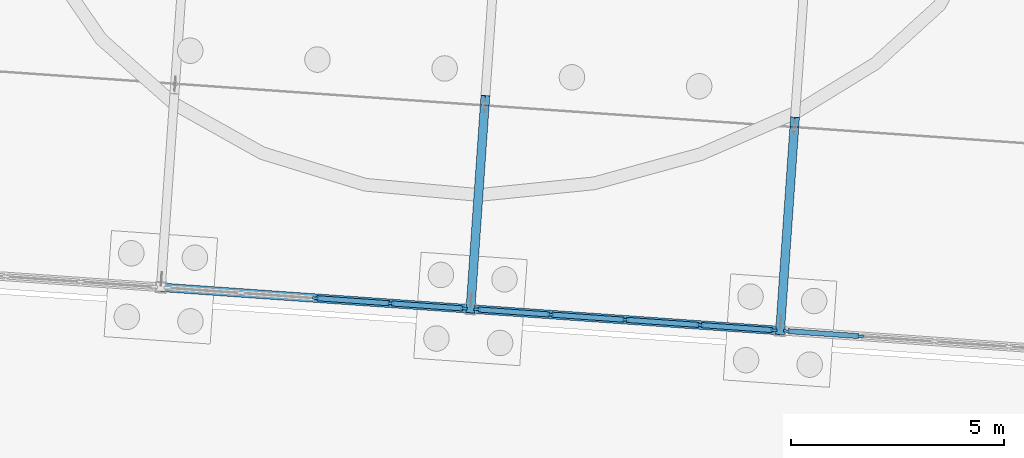
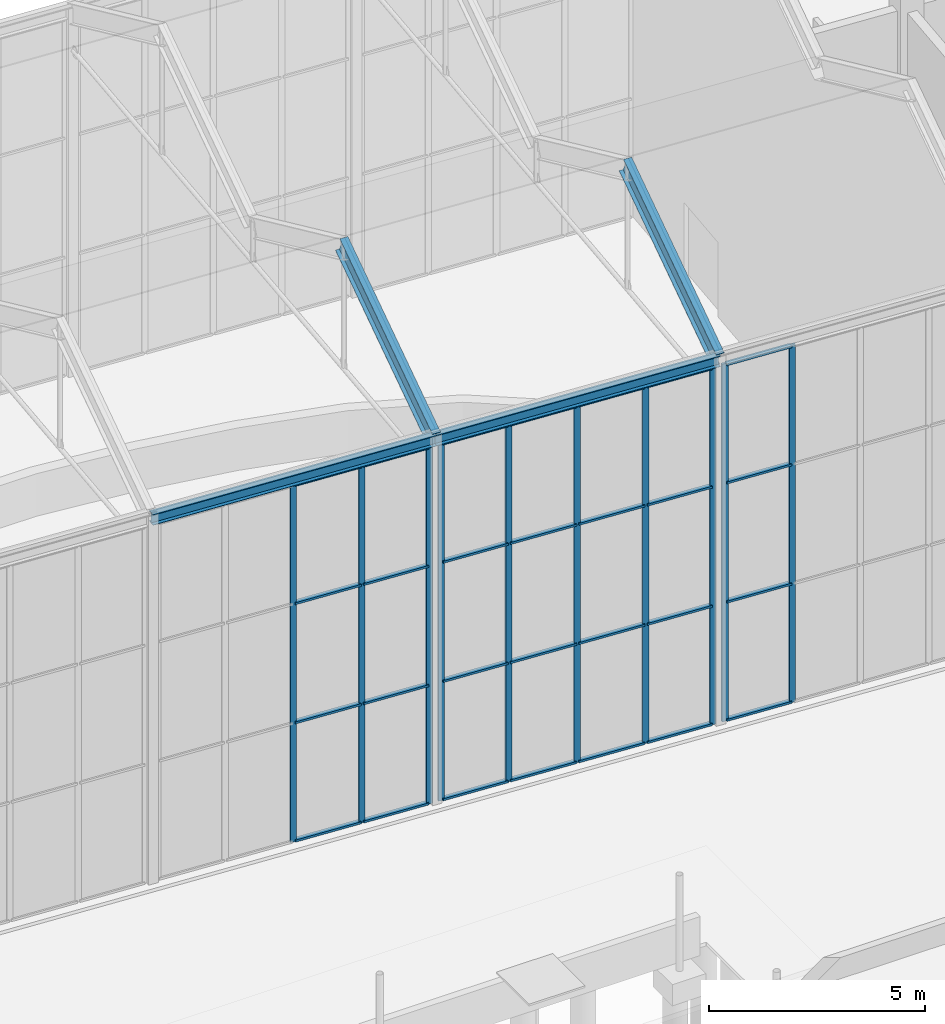
# One storey, part 42 of 157: 40 members, 2 beams, 3 elements without a shape of their own.
"""IFC4 building model written with IfcOpenShell, lengths in metres."""

from ifc_helpers import new_model, si_unit, direction, frame, origin, origin_2d, place, context, subcontext, project, spatial, rectangle, i_section, extrude, material, material_profile, profile_set, type_object, element, aggregate, save


model = new_model("IFC4")

# Units and contexts
model_context = context("Model", 3, precision=1e-05, world=origin(), true_north=direction((0.0, 1.0)))
body_context = subcontext(model_context, "Body", "Model", "MODEL_VIEW")
ifc_project = project(units=[si_unit("LENGTHUNIT", "METRE"), si_unit("AREAUNIT", "SQUARE_METRE"), si_unit("VOLUMEUNIT", "CUBIC_METRE"), si_unit("PLANEANGLEUNIT", "RADIAN"), si_unit("MASSUNIT", "GRAM", prefix="KILO")], contexts=[model_context])

# Site, building, storey
site_placement = place(None, origin())
site = spatial("IfcSite", under=ifc_project, at=site_placement, CompositionType="ELEMENT")
building_placement = place(site_placement, origin())
building = spatial("IfcBuilding", under=site, at=building_placement, Name="Windward Yard Aquatics Centre", CompositionType="ELEMENT")
storey_placement = place(building_placement, origin())
storey = spatial("IfcBuildingStorey", under=building, at=storey_placement, Name="L00", CompositionType="ELEMENT", Elevation=0.0)

# Curtain wall, members
ifc_material_1 = material(Name="Aluminium curtain wall system", Category="aluminium")
curtain_wall_type = type_object("IfcCurtainWallType", Name="W curtain wall 1900", PredefinedType="NOTDEFINED", material=ifc_material_1)
curtain_wall_1_placement = place(storey_placement, origin())
curtain_wall_1 = element("IfcCurtainWall", 1, at=curtain_wall_1_placement, inside=storey, type_object=curtain_wall_type, Name="Wing south glazing L00 5", PredefinedType="NOTDEFINED")
ifc_material_2 = material(Name="Aluminium mullion", Category="aluminium")
ifc_material_profile_1 = material_profile(ifc_material_2, rectangle(XDim=0.06005859375, YDim=0.159912109375, at=origin_2d()), Name="AL 60x160")
ifc_profile_set_1 = profile_set([ifc_material_profile_1], Name="Aluminium mullion")
member_type_1 = type_object("IfcMemberType", Name="W CW mullion 60x160", PredefinedType="MULLION", material=ifc_profile_set_1)
member_1_placement = place(storey_placement, frame((82.7744140625, 118.619384765625, 0.0), z_axis=(0.0, 0.0, 1.0), x_axis=(0.069756251182, 0.997564065823, 0.0)))
member_1 = element("IfcMember", 2, at=member_1_placement, type_object=member_type_1, Name="WCW1 mullion 3", PredefinedType="MULLION", context=body_context, shape_type="SweptSolid", body=[
    extrude(rectangle(XDim=0.06005859375, YDim=0.159912109375, at=origin_2d()), origin(), (0.0, 0.0, 1.0), 10.097900390625),
])
member_2_placement = place(storey_placement, frame((84.53173828125, 118.49658203125, 0.0), z_axis=(0.0, 0.0, 1.0), x_axis=(0.069756251182, 0.997564065823, 0.0)))
member_2 = element("IfcMember", 3, at=member_2_placement, type_object=member_type_1, Name="WCW1 mullion 4", PredefinedType="MULLION", context=body_context, shape_type="SweptSolid", body=[
    extrude(rectangle(XDim=0.06005859375, YDim=0.159912109375, at=origin_2d()), origin(), (0.0, 0.0, 1.0), 10.097900390625),
])
member_3_placement = place(storey_placement, frame((86.259033203125, 118.375732421875, 0.0), z_axis=(0.0, 0.0, 1.0), x_axis=(0.069756251182, 0.997564065823, 0.0)))
member_3 = element("IfcMember", 4, at=member_3_placement, type_object=member_type_1, Name="WCW1 mullion 5", PredefinedType="MULLION", context=body_context, shape_type="SweptSolid", body=[
    extrude(rectangle(XDim=0.06005859375, YDim=0.159912109375, at=origin_2d()), origin(), (0.0, 0.0, 1.0), 10.097900390625),
])

curtain_wall_2_placement = place(storey_placement, origin())
curtain_wall_2 = element("IfcCurtainWall", 5, at=curtain_wall_2_placement, inside=storey, type_object=curtain_wall_type, Name="Wing south glazing L00 6", PredefinedType="NOTDEFINED")
member_4_placement = place(storey_placement, frame((86.572265625, 118.35400390625, 0.0), z_axis=(0.0, 0.0, 1.0), x_axis=(0.069756251182, 0.997564065823, 0.0)))
member_4 = element("IfcMember", 6, at=member_4_placement, type_object=member_type_1, Name="WCW1 mullion 1", PredefinedType="MULLION", context=body_context, shape_type="SweptSolid", body=[
    extrude(rectangle(XDim=0.06005859375, YDim=0.159912109375, at=origin_2d()), origin(), (0.0, 0.0, 1.0), 10.097900390625),
])
member_5_placement = place(storey_placement, frame((88.299560546875, 118.233154296875, 0.0), z_axis=(0.0, 0.0, 1.0), x_axis=(0.069756251182, 0.997564065823, 0.0)))
member_5 = element("IfcMember", 7, at=member_5_placement, type_object=member_type_1, Name="WCW1 mullion 2", PredefinedType="MULLION", context=body_context, shape_type="SweptSolid", body=[
    extrude(rectangle(XDim=0.06005859375, YDim=0.159912109375, at=origin_2d()), origin(), (0.0, 0.0, 1.0), 10.097900390625),
])
member_6_placement = place(storey_placement, frame((90.056640625, 118.1103515625, 0.0), z_axis=(0.0, 0.0, 1.0), x_axis=(0.069756251182, 0.997564065823, 0.0)))
member_6 = element("IfcMember", 8, at=member_6_placement, type_object=member_type_1, Name="WCW1 mullion 3", PredefinedType="MULLION", context=body_context, shape_type="SweptSolid", body=[
    extrude(rectangle(XDim=0.06005859375, YDim=0.159912109375, at=origin_2d()), origin(), (0.0, 0.0, 1.0), 10.097900390625),
])
member_7_placement = place(storey_placement, frame((91.81396484375, 117.9873046875, 0.0), z_axis=(0.0, 0.0, 1.0), x_axis=(0.069756251182, 0.997564065823, 0.0)))
member_7 = element("IfcMember", 9, at=member_7_placement, type_object=member_type_1, Name="WCW1 mullion 4", PredefinedType="MULLION", context=body_context, shape_type="SweptSolid", body=[
    extrude(rectangle(XDim=0.06005859375, YDim=0.159912109375, at=origin_2d()), origin(), (0.0, 0.0, 1.0), 10.097900390625),
])
member_8_placement = place(storey_placement, frame((93.541259765625, 117.86669921875, 0.0), z_axis=(0.0, 0.0, 1.0), x_axis=(0.069756251182, 0.997564065823, 0.0)))
member_8 = element("IfcMember", 10, at=member_8_placement, type_object=member_type_1, Name="WCW1 mullion 5", PredefinedType="MULLION", context=body_context, shape_type="SweptSolid", body=[
    extrude(rectangle(XDim=0.06005859375, YDim=0.159912109375, at=origin_2d()), origin(), (0.0, 0.0, 1.0), 10.097900390625),
])

curtain_wall_3_placement = place(storey_placement, origin())
curtain_wall_3 = element("IfcCurtainWall", 11, at=curtain_wall_3_placement, inside=storey, type_object=curtain_wall_type, Name="Wing south glazing L00 7", PredefinedType="NOTDEFINED")
member_9_placement = place(storey_placement, frame((93.8544921875, 117.8447265625, 0.0), z_axis=(0.0, 0.0, 1.0), x_axis=(0.069756438069, 0.997564052754, 0.0)))
member_9 = element("IfcMember", 12, at=member_9_placement, type_object=member_type_1, Name="WCW1 mullion 1", PredefinedType="MULLION", context=body_context, shape_type="SweptSolid", body=[
    extrude(rectangle(XDim=0.06005859375, YDim=0.159912109375, at=origin_2d()), origin(), (0.0, 0.0, 1.0), 10.097900390625),
])
member_10_placement = place(storey_placement, frame((95.575927734375, 117.724365234375, 0.0), z_axis=(0.0, 0.0, 1.0), x_axis=(0.069756438069, 0.997564052754, 0.0)))
member_10 = element("IfcMember", 13, at=member_10_placement, type_object=member_type_1, Name="WCW1 mullion 2", PredefinedType="MULLION", context=body_context, shape_type="SweptSolid", body=[
    extrude(rectangle(XDim=0.06005859375, YDim=0.159912109375, at=origin_2d()), origin(), (0.0, 0.0, 1.0), 10.097900390625),
])

# Member
ifc_material_3 = material(Name="Aluminium transom", Category="aluminium")
ifc_material_profile_2 = material_profile(ifc_material_3, rectangle(XDim=0.1201171875, YDim=0.06005859375, at=origin_2d()), Name="AL 120x60")
ifc_profile_set_2 = profile_set([ifc_material_profile_2], Name="Aluminium transom")
member_type_2 = type_object("IfcMemberType", Name="W CW transom 120x60", PredefinedType="USERDEFINED", material=ifc_profile_set_2)
member_11_placement = place(storey_placement, frame((82.804443359375, 118.617431640625, 0.030029296875), z_axis=(0.997565360109, -0.069737739501, 0.0), x_axis=(0.069737739501, 0.997565360109, 0.0)))
member_11 = element("IfcMember", 14, at=member_11_placement, type_object=member_type_2, Name="WCW1 transom 3.1", ObjectType="TRANSOM", PredefinedType="USERDEFINED", context=body_context, shape_type="SweptSolid", body=[
    extrude(rectangle(XDim=0.1201171875, YDim=0.06005859375, at=origin_2d()), origin(), (0.0, 0.0, 1.0), 1.701416015625),
])

member_12_placement = place(storey_placement, frame((82.804443359375, 118.617431640625, 3.365966796875), z_axis=(0.997565360109, -0.069737739501, 0.0), x_axis=(0.069737739501, 0.997565360109, 0.0)))
member_12 = element("IfcMember", 15, at=member_12_placement, type_object=member_type_2, Name="WCW1 transom 3.2", ObjectType="TRANSOM", PredefinedType="USERDEFINED", context=body_context, shape_type="SweptSolid", body=[
    extrude(rectangle(XDim=0.1201171875, YDim=0.06005859375, at=origin_2d()), origin(), (0.0, 0.0, 1.0), 1.701416015625),
])

member_13_placement = place(storey_placement, frame((82.804443359375, 118.617431640625, 6.73193359375), z_axis=(0.997565360109, -0.069737739501, 0.0), x_axis=(0.069737739501, 0.997565360109, 0.0)))
member_13 = element("IfcMember", 16, at=member_13_placement, type_object=member_type_2, Name="WCW1 transom 3.3", ObjectType="TRANSOM", PredefinedType="USERDEFINED", context=body_context, shape_type="SweptSolid", body=[
    extrude(rectangle(XDim=0.1201171875, YDim=0.06005859375, at=origin_2d()), origin(), (0.0, 0.0, 1.0), 1.701416015625),
])

member_14_placement = place(storey_placement, frame((82.804443359375, 118.617431640625, 10.068115234375), z_axis=(0.997565360109, -0.069737739501, 0.0), x_axis=(0.069737739501, 0.997565360109, 0.0)))
member_14 = element("IfcMember", 17, at=member_14_placement, type_object=member_type_2, Name="WCW1 transom 3.4", ObjectType="TRANSOM", PredefinedType="USERDEFINED", context=body_context, shape_type="SweptSolid", body=[
    extrude(rectangle(XDim=0.1201171875, YDim=0.06005859375, at=origin_2d()), origin(), (0.0, 0.0, 1.0), 1.701416015625),
])

member_15_placement = place(storey_placement, frame((84.5615234375, 118.494384765625, 0.030029296875), z_axis=(0.997570145889, -0.069669247378, 0.0), x_axis=(0.069669247378, 0.997570145889, 0.0)))
member_15 = element("IfcMember", 18, at=member_15_placement, type_object=member_type_2, Name="WCW1 transom 4.1", ObjectType="TRANSOM", PredefinedType="USERDEFINED", context=body_context, shape_type="SweptSolid", body=[
    extrude(rectangle(XDim=0.1201171875, YDim=0.06005859375, at=origin_2d()), origin(), (0.0, 0.0, 1.0), 1.671630859375),
])

member_16_placement = place(storey_placement, frame((84.5615234375, 118.494384765625, 3.365966796875), z_axis=(0.997570145889, -0.069669247378, 0.0), x_axis=(0.069669247378, 0.997570145889, 0.0)))
member_16 = element("IfcMember", 19, at=member_16_placement, type_object=member_type_2, Name="WCW1 transom 4.2", ObjectType="TRANSOM", PredefinedType="USERDEFINED", context=body_context, shape_type="SweptSolid", body=[
    extrude(rectangle(XDim=0.1201171875, YDim=0.06005859375, at=origin_2d()), origin(), (0.0, 0.0, 1.0), 1.671630859375),
])

member_17_placement = place(storey_placement, frame((84.5615234375, 118.494384765625, 6.73193359375), z_axis=(0.997570145889, -0.069669247378, 0.0), x_axis=(0.069669247378, 0.997570145889, 0.0)))
member_17 = element("IfcMember", 20, at=member_17_placement, type_object=member_type_2, Name="WCW1 transom 4.3", ObjectType="TRANSOM", PredefinedType="USERDEFINED", context=body_context, shape_type="SweptSolid", body=[
    extrude(rectangle(XDim=0.1201171875, YDim=0.06005859375, at=origin_2d()), origin(), (0.0, 0.0, 1.0), 1.671630859375),
])

member_18_placement = place(storey_placement, frame((84.5615234375, 118.494384765625, 10.068115234375), z_axis=(0.997570145889, -0.069669247378, 0.0), x_axis=(0.069669247378, 0.997570145889, 0.0)))
member_18 = element("IfcMember", 21, at=member_18_placement, type_object=member_type_2, Name="WCW1 transom 4.4", ObjectType="TRANSOM", PredefinedType="USERDEFINED", context=body_context, shape_type="SweptSolid", body=[
    extrude(rectangle(XDim=0.1201171875, YDim=0.06005859375, at=origin_2d()), origin(), (0.0, 0.0, 1.0), 1.671630859375),
])

aggregate(curtain_wall_1, [member_1, member_2, member_3, member_11, member_12, member_13, member_14, member_15, member_16, member_17, member_18])

member_19_placement = place(storey_placement, frame((86.60205078125, 118.351806640625, 0.030029296875), z_axis=(0.99755998444, -0.069814593347, 0.0), x_axis=(0.069814593347, 0.99755998444, 0.0)))
member_19 = element("IfcMember", 22, at=member_19_placement, type_object=member_type_2, Name="WCW1 transom 1.1", ObjectType="TRANSOM", PredefinedType="USERDEFINED", context=body_context, shape_type="SweptSolid", body=[
    extrude(rectangle(XDim=0.1201171875, YDim=0.06005859375, at=origin_2d()), origin(), (0.0, 0.0, 1.0), 1.671630859375),
])

member_20_placement = place(storey_placement, frame((86.60205078125, 118.351806640625, 3.365966796875), z_axis=(0.99755998444, -0.069814593347, 0.0), x_axis=(0.069814593347, 0.99755998444, 0.0)))
member_20 = element("IfcMember", 23, at=member_20_placement, type_object=member_type_2, Name="WCW1 transom 1.2", ObjectType="TRANSOM", PredefinedType="USERDEFINED", context=body_context, shape_type="SweptSolid", body=[
    extrude(rectangle(XDim=0.1201171875, YDim=0.06005859375, at=origin_2d()), origin(), (0.0, 0.0, 1.0), 1.671630859375),
])

member_21_placement = place(storey_placement, frame((86.60205078125, 118.351806640625, 6.73193359375), z_axis=(0.99755998444, -0.069814593347, 0.0), x_axis=(0.069814593347, 0.99755998444, 0.0)))
member_21 = element("IfcMember", 24, at=member_21_placement, type_object=member_type_2, Name="WCW1 transom 1.3", ObjectType="TRANSOM", PredefinedType="USERDEFINED", context=body_context, shape_type="SweptSolid", body=[
    extrude(rectangle(XDim=0.1201171875, YDim=0.06005859375, at=origin_2d()), origin(), (0.0, 0.0, 1.0), 1.671630859375),
])

member_22_placement = place(storey_placement, frame((86.60205078125, 118.351806640625, 10.068115234375), z_axis=(0.99755998444, -0.069814593347, 0.0), x_axis=(0.069814593347, 0.99755998444, 0.0)))
member_22 = element("IfcMember", 25, at=member_22_placement, type_object=member_type_2, Name="WCW1 transom 1.4", ObjectType="TRANSOM", PredefinedType="USERDEFINED", context=body_context, shape_type="SweptSolid", body=[
    extrude(rectangle(XDim=0.1201171875, YDim=0.06005859375, at=origin_2d()), origin(), (0.0, 0.0, 1.0), 1.671630859375),
])

member_23_placement = place(storey_placement, frame((88.329345703125, 118.23095703125, 0.030029296875), z_axis=(0.997566057818, -0.069727758392, 0.0), x_axis=(0.069727758392, 0.997566057818, 0.0)))
member_23 = element("IfcMember", 26, at=member_23_placement, type_object=member_type_2, Name="WCW1 transom 2.1", ObjectType="TRANSOM", PredefinedType="USERDEFINED", context=body_context, shape_type="SweptSolid", body=[
    extrude(rectangle(XDim=0.1201171875, YDim=0.06005859375, at=origin_2d()), origin(), (0.0, 0.0, 1.0), 1.70166015625),
])

member_24_placement = place(storey_placement, frame((88.329345703125, 118.23095703125, 3.365966796875), z_axis=(0.997566057818, -0.069727758392, 0.0), x_axis=(0.069727758392, 0.997566057818, 0.0)))
member_24 = element("IfcMember", 27, at=member_24_placement, type_object=member_type_2, Name="WCW1 transom 2.2", ObjectType="TRANSOM", PredefinedType="USERDEFINED", context=body_context, shape_type="SweptSolid", body=[
    extrude(rectangle(XDim=0.1201171875, YDim=0.06005859375, at=origin_2d()), origin(), (0.0, 0.0, 1.0), 1.70166015625),
])

member_25_placement = place(storey_placement, frame((88.329345703125, 118.23095703125, 6.73193359375), z_axis=(0.997566057818, -0.069727758392, 0.0), x_axis=(0.069727758392, 0.997566057818, 0.0)))
member_25 = element("IfcMember", 28, at=member_25_placement, type_object=member_type_2, Name="WCW1 transom 2.3", ObjectType="TRANSOM", PredefinedType="USERDEFINED", context=body_context, shape_type="SweptSolid", body=[
    extrude(rectangle(XDim=0.1201171875, YDim=0.06005859375, at=origin_2d()), origin(), (0.0, 0.0, 1.0), 1.70166015625),
])

member_26_placement = place(storey_placement, frame((88.329345703125, 118.23095703125, 10.068115234375), z_axis=(0.997566057818, -0.069727758392, 0.0), x_axis=(0.069727758392, 0.997566057818, 0.0)))
member_26 = element("IfcMember", 29, at=member_26_placement, type_object=member_type_2, Name="WCW1 transom 2.4", ObjectType="TRANSOM", PredefinedType="USERDEFINED", context=body_context, shape_type="SweptSolid", body=[
    extrude(rectangle(XDim=0.1201171875, YDim=0.06005859375, at=origin_2d()), origin(), (0.0, 0.0, 1.0), 1.70166015625),
])

member_27_placement = place(storey_placement, frame((90.086669921875, 118.108154296875, 0.030029296875), z_axis=(0.997565360109, -0.069737739501, 0.0), x_axis=(0.069737739501, 0.997565360109, 0.0)))
member_27 = element("IfcMember", 30, at=member_27_placement, type_object=member_type_2, Name="WCW1 transom 3.1", ObjectType="TRANSOM", PredefinedType="USERDEFINED", context=body_context, shape_type="SweptSolid", body=[
    extrude(rectangle(XDim=0.1201171875, YDim=0.06005859375, at=origin_2d()), origin(), (0.0, 0.0, 1.0), 1.701416015625),
])

member_28_placement = place(storey_placement, frame((90.086669921875, 118.108154296875, 3.365966796875), z_axis=(0.997565360109, -0.069737739501, 0.0), x_axis=(0.069737739501, 0.997565360109, 0.0)))
member_28 = element("IfcMember", 31, at=member_28_placement, type_object=member_type_2, Name="WCW1 transom 3.2", ObjectType="TRANSOM", PredefinedType="USERDEFINED", context=body_context, shape_type="SweptSolid", body=[
    extrude(rectangle(XDim=0.1201171875, YDim=0.06005859375, at=origin_2d()), origin(), (0.0, 0.0, 1.0), 1.701416015625),
])

member_29_placement = place(storey_placement, frame((90.086669921875, 118.108154296875, 6.73193359375), z_axis=(0.997565360109, -0.069737739501, 0.0), x_axis=(0.069737739501, 0.997565360109, 0.0)))
member_29 = element("IfcMember", 32, at=member_29_placement, type_object=member_type_2, Name="WCW1 transom 3.3", ObjectType="TRANSOM", PredefinedType="USERDEFINED", context=body_context, shape_type="SweptSolid", body=[
    extrude(rectangle(XDim=0.1201171875, YDim=0.06005859375, at=origin_2d()), origin(), (0.0, 0.0, 1.0), 1.701416015625),
])

member_30_placement = place(storey_placement, frame((90.086669921875, 118.108154296875, 10.068115234375), z_axis=(0.997565360109, -0.069737739501, 0.0), x_axis=(0.069737739501, 0.997565360109, 0.0)))
member_30 = element("IfcMember", 33, at=member_30_placement, type_object=member_type_2, Name="WCW1 transom 3.4", ObjectType="TRANSOM", PredefinedType="USERDEFINED", context=body_context, shape_type="SweptSolid", body=[
    extrude(rectangle(XDim=0.1201171875, YDim=0.06005859375, at=origin_2d()), origin(), (0.0, 0.0, 1.0), 1.701416015625),
])

member_31_placement = place(storey_placement, frame((91.84375, 117.9853515625, 0.030029296875), z_axis=(0.99755998444, -0.069814593347, 0.0), x_axis=(0.069814593347, 0.99755998444, 0.0)))
member_31 = element("IfcMember", 34, at=member_31_placement, type_object=member_type_2, Name="WCW1 transom 4.1", ObjectType="TRANSOM", PredefinedType="USERDEFINED", context=body_context, shape_type="SweptSolid", body=[
    extrude(rectangle(XDim=0.1201171875, YDim=0.06005859375, at=origin_2d()), origin(), (0.0, 0.0, 1.0), 1.671630859375),
])

member_32_placement = place(storey_placement, frame((91.84375, 117.9853515625, 3.365966796875), z_axis=(0.99755998444, -0.069814593347, 0.0), x_axis=(0.069814593347, 0.99755998444, 0.0)))
member_32 = element("IfcMember", 35, at=member_32_placement, type_object=member_type_2, Name="WCW1 transom 4.2", ObjectType="TRANSOM", PredefinedType="USERDEFINED", context=body_context, shape_type="SweptSolid", body=[
    extrude(rectangle(XDim=0.1201171875, YDim=0.06005859375, at=origin_2d()), origin(), (0.0, 0.0, 1.0), 1.671630859375),
])

member_33_placement = place(storey_placement, frame((91.84375, 117.9853515625, 6.73193359375), z_axis=(0.99755998444, -0.069814593347, 0.0), x_axis=(0.069814593347, 0.99755998444, 0.0)))
member_33 = element("IfcMember", 36, at=member_33_placement, type_object=member_type_2, Name="WCW1 transom 4.3", ObjectType="TRANSOM", PredefinedType="USERDEFINED", context=body_context, shape_type="SweptSolid", body=[
    extrude(rectangle(XDim=0.1201171875, YDim=0.06005859375, at=origin_2d()), origin(), (0.0, 0.0, 1.0), 1.671630859375),
])

member_34_placement = place(storey_placement, frame((91.84375, 117.9853515625, 10.068115234375), z_axis=(0.99755998444, -0.069814593347, 0.0), x_axis=(0.069814593347, 0.99755998444, 0.0)))
member_34 = element("IfcMember", 37, at=member_34_placement, type_object=member_type_2, Name="WCW1 transom 4.4", ObjectType="TRANSOM", PredefinedType="USERDEFINED", context=body_context, shape_type="SweptSolid", body=[
    extrude(rectangle(XDim=0.1201171875, YDim=0.06005859375, at=origin_2d()), origin(), (0.0, 0.0, 1.0), 1.671630859375),
])

aggregate(curtain_wall_2, [member_4, member_5, member_6, member_7, member_8, member_19, member_20, member_21, member_22, member_23, member_24, member_25, member_26, member_27, member_28, member_29, member_30, member_31, member_32, member_33, member_34])

member_35_placement = place(storey_placement, frame((93.88427734375, 117.842529296875, 0.030029296875), z_axis=(0.997563966727, -0.069757668306, 0.0), x_axis=(0.069757668306, 0.997563966727, 0.0)))
member_35 = element("IfcMember", 38, at=member_35_placement, type_object=member_type_2, Name="WCW1 transom 1.1", ObjectType="TRANSOM", PredefinedType="USERDEFINED", context=body_context, shape_type="SweptSolid", body=[
    extrude(rectangle(XDim=0.1201171875, YDim=0.06005859375, at=origin_2d()), origin(), (0.0, 0.0, 1.0), 1.666015625),
])

member_36_placement = place(storey_placement, frame((93.88427734375, 117.842529296875, 3.365966796875), z_axis=(0.997563966727, -0.069757668306, 0.0), x_axis=(0.069757668306, 0.997563966727, 0.0)))
member_36 = element("IfcMember", 39, at=member_36_placement, type_object=member_type_2, Name="WCW1 transom 1.2", ObjectType="TRANSOM", PredefinedType="USERDEFINED", context=body_context, shape_type="SweptSolid", body=[
    extrude(rectangle(XDim=0.1201171875, YDim=0.06005859375, at=origin_2d()), origin(), (0.0, 0.0, 1.0), 1.666015625),
])

member_37_placement = place(storey_placement, frame((93.88427734375, 117.842529296875, 6.73193359375), z_axis=(0.997563966727, -0.069757668306, 0.0), x_axis=(0.069757668306, 0.997563966727, 0.0)))
member_37 = element("IfcMember", 40, at=member_37_placement, type_object=member_type_2, Name="WCW1 transom 1.3", ObjectType="TRANSOM", PredefinedType="USERDEFINED", context=body_context, shape_type="SweptSolid", body=[
    extrude(rectangle(XDim=0.1201171875, YDim=0.06005859375, at=origin_2d()), origin(), (0.0, 0.0, 1.0), 1.666015625),
])

member_38_placement = place(storey_placement, frame((93.88427734375, 117.842529296875, 10.068115234375), z_axis=(0.997563966727, -0.069757668306, 0.0), x_axis=(0.069757668306, 0.997563966727, 0.0)))
member_38 = element("IfcMember", 41, at=member_38_placement, type_object=member_type_2, Name="WCW1 transom 1.4", ObjectType="TRANSOM", PredefinedType="USERDEFINED", context=body_context, shape_type="SweptSolid", body=[
    extrude(rectangle(XDim=0.1201171875, YDim=0.06005859375, at=origin_2d()), origin(), (0.0, 0.0, 1.0), 1.666015625),
])

aggregate(curtain_wall_3, [member_9, member_10, member_35, member_36, member_37, member_38])

# Beams
ifc_material_4 = material(Name="Steel S355", Category="steel")
ifc_material_profile_3 = material_profile(ifc_material_4, i_section(OverallWidth=0.202880859375, OverallDepth=0.302001953125, WebThickness=0.007568359375, FlangeThickness=0.01318359375, at=origin_2d()), Name="W310x60")
ifc_profile_set_3 = profile_set([ifc_material_profile_3], Name="Steel S355")
beam_type = type_object("IfcBeamType", Name="W W310x60 beam", PredefinedType="BEAM", material=ifc_profile_set_3)
for number, where, z_axis, x_axis, name in (
    (42, (79.13330078125, 118.8740234375, 10.2490234375), (0.997565858073, -0.069730616001, 0.0), (0.069730616001, 0.997565858073, 0.0), "W.HEB.S.2"),
    (43, (86.41552734375, 118.364990234375, 10.2490234375), (0.997563531133, -0.069763897209, 0.0), (0.069763897209, 0.997563531133, 0.0), "W.HEB.S.3"),
):
    element("IfcBeam", number, at=place(storey_placement, frame(where, z_axis=z_axis, x_axis=x_axis)), inside=storey, type_object=beam_type, Name=name, PredefinedType="BEAM", context=body_context, shape_type="SweptSolid", body=[
        extrude(i_section(OverallWidth=0.202880859375, OverallDepth=0.302001953125, WebThickness=0.007568359375, FlangeThickness=0.01318359375, at=origin_2d()), origin(), (0.0, 0.0, 1.0), 7.300048828125),
    ])

# Members
ifc_material_profile_4 = material_profile(ifc_material_4, i_section(OverallWidth=0.208984375, OverallDepth=0.532958984375, WebThickness=0.01025390625, FlangeThickness=0.015625, at=origin_2d()), Name="W530x92")
ifc_profile_set_4 = profile_set([ifc_material_profile_4], Name="Steel S355")
member_type_3 = type_object("IfcMemberType", Name="W W530x92 rafter", PredefinedType="RAFTER", material=ifc_profile_set_4)
member_39_placement = place(storey_placement, frame((86.417724609375, 118.39453125, 10.216796875), z_axis=(0.062388938922, 0.89224667912, 0.447217490601), x_axis=(-0.997564285741, 0.06975310612, 0.0)))
element("IfcMember", 44, at=member_39_placement, inside=storey, type_object=member_type_3, Name="W.RAF.3.1", PredefinedType="RAFTER", context=body_context, shape_type="SweptSolid", body=[
    extrude(i_section(OverallWidth=0.208984375, OverallDepth=0.532958984375, WebThickness=0.01025390625, FlangeThickness=0.015625, at=origin_2d()), origin(), (0.0, 0.0, 1.0), 5.466796875),
])
member_40_placement = place(storey_placement, frame((93.699951171875, 117.88525390625, 10.216796875), z_axis=(0.062391425024, 0.892237572744, 0.447235311516), x_axis=(-0.997564042786, 0.069756580627, 0.0)))
element("IfcMember", 45, at=member_40_placement, inside=storey, type_object=member_type_3, Name="W.RAF.4.1", PredefinedType="RAFTER", context=body_context, shape_type="SweptSolid", body=[
    extrude(i_section(OverallWidth=0.208984375, OverallDepth=0.532958984375, WebThickness=0.01025390625, FlangeThickness=0.015625, at=origin_2d()), origin(), (0.0, 0.0, 1.0), 5.466552734375),
])

save(model, "model.ifc")
